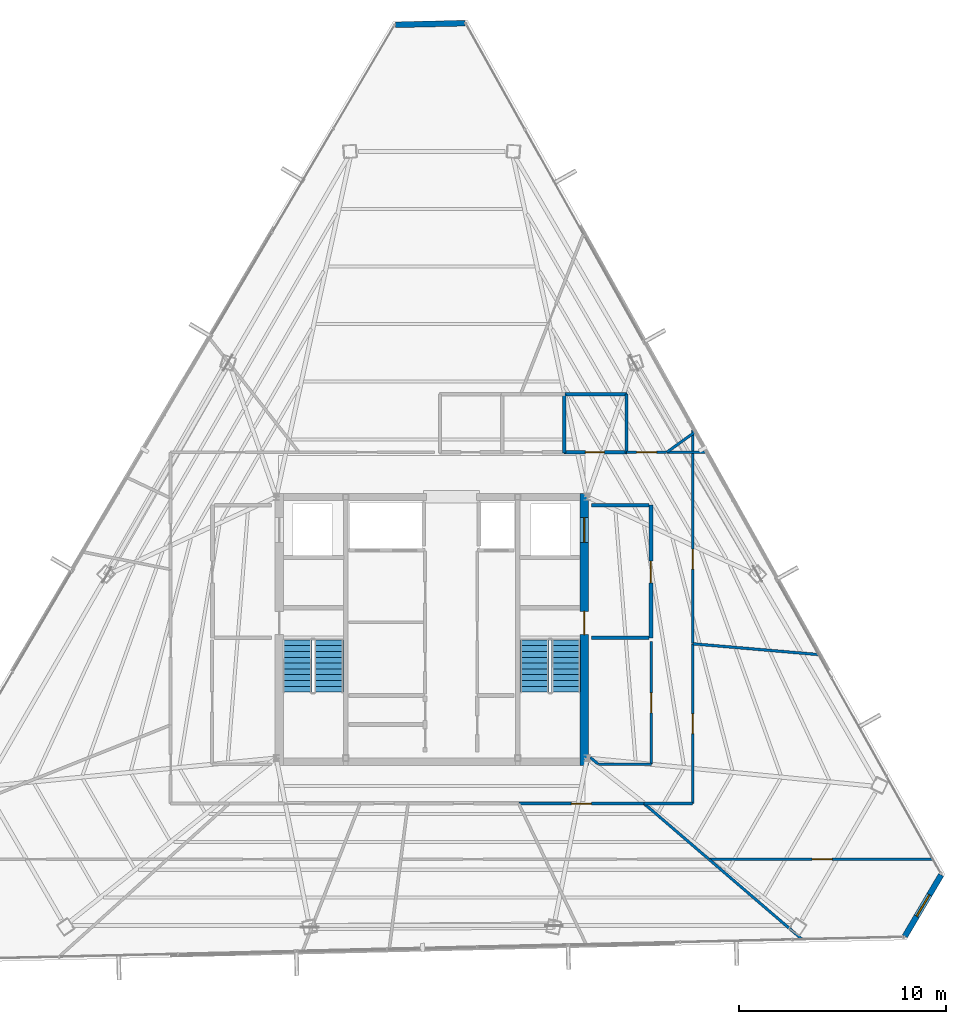
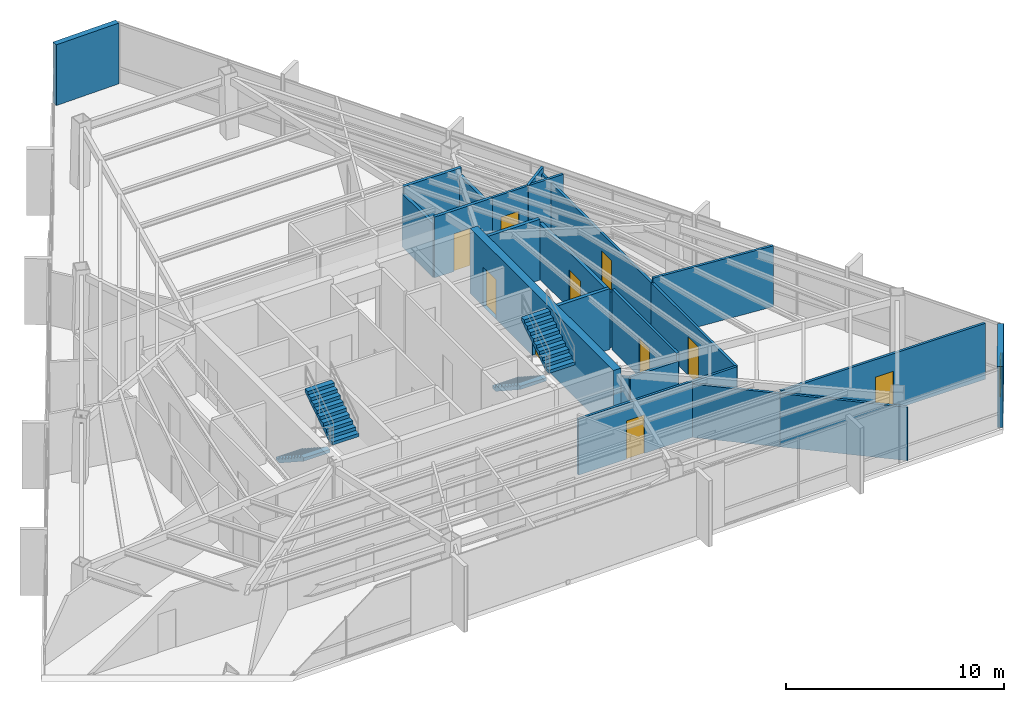
# One storey, part 43 of 46: 24 walls, 10 doors, 4 stair flights, 1 window, 11 openings, 2 elements without a shape of their own.
"""IFC4 building model written with IfcOpenShell, lengths in metres."""

from ifc_helpers import new_model, si_unit, direction, frame, frame_2d, origin, place, context, subcontext, project, spatial, polyline, rectangle, outline, extrude, material, layer, layer_set, type_object, element, fill, aggregate, save


model = new_model("IFC4")

# Units and contexts
model_context = context("Model", 3, precision=1e-05, world=origin(), true_north=direction((0.0, 1.0)))
body_context = subcontext(model_context, "Body", "Model", "MODEL_VIEW")
ifc_project = project(units=[si_unit("LENGTHUNIT", "METRE"), si_unit("AREAUNIT", "SQUARE_METRE"), si_unit("VOLUMEUNIT", "CUBIC_METRE"), si_unit("PLANEANGLEUNIT", "RADIAN"), si_unit("MASSUNIT", "GRAM", prefix="KILO")], contexts=[model_context])

# Site, building, storey
site_placement = place(None, origin())
site = spatial("IfcSite", under=ifc_project, at=site_placement, CompositionType="ELEMENT")
building_placement = place(site_placement, origin())
building = spatial("IfcBuilding", under=site, at=building_placement, Name="Caelisora Broadcast Tower", CompositionType="ELEMENT")
storey_placement = place(building_placement, frame((0.0, 0.0, 251.75)))
storey = spatial("IfcBuildingStorey", under=building, at=storey_placement, Name="L66", CompositionType="ELEMENT", Elevation=251.75)

# Wall, openings, doors
ifc_material_1 = material(Name="Concrete 40 MPa (AS 3600 N40)", Category="concrete")
ifc_layer_1 = layer(ifc_material_1, 0.39990234375, Name="Concrete 40 MPa (AS 3600 N40)")
ifc_layer_set_1 = layer_set([ifc_layer_1], Name="Concrete 40 MPa (AS 3600 N40)")
wall_type_1 = type_object("IfcWallType", Name="CW3", PredefinedType="SHEAR", material=ifc_layer_set_1)
wall_1_placement = place(storey_placement, frame((45.360107421875, 17.050048828125, 0.0), z_axis=(0.0, 0.0, 1.0), x_axis=(0.0, 1.0, 0.0)))
wall_1 = element("IfcWall", 1, at=wall_1_placement, inside=storey, type_object=wall_type_1, Name="L66 core shear wall CW3", PredefinedType="SHEAR", context=body_context, shape_type="SweptSolid", body=[
    extrude(rectangle(XDim=13.125, YDim=0.39990234375, at=frame_2d((6.5625, 0.0))), origin(), (0.0, 0.0, 1.0), 3.64990234375),
])
opening_1_placement = place(wall_1_placement, frame((6.300048828125, 0.0, 0.0)))
opening_1 = element("IfcOpeningElement", 2, at=opening_1_placement, cuts=wall_1, Name="Opening FD04", PredefinedType="OPENING", context=body_context, shape_type="SweptSolid", body=[
    extrude(rectangle(XDim=1.1201171875, YDim=2.14990234375, at=frame_2d((0.56005859375, 1.074951171875))), frame((0.0, 0.2119140625, 0.0), z_axis=(0.0, -1.0, 0.0), x_axis=(1.0, 0.0, 0.0)), (0.0, 0.0, 1.0), 0.423828125),
])
opening_2_placement = place(wall_1_placement, frame((10.75, 0.0, 0.0)))
opening_2 = element("IfcOpeningElement", 3, at=opening_2_placement, cuts=wall_1, Name="Opening LD04", PredefinedType="OPENING", context=body_context, shape_type="SweptSolid", body=[
    extrude(rectangle(XDim=1.199951171875, YDim=2.199951171875, at=frame_2d((0.60009765625, 1.10009765625))), frame((0.0, 0.2119140625, 0.0), z_axis=(0.0, -1.0, 0.0), x_axis=(1.0, 0.0, 0.0)), (0.0, 0.0, 1.0), 0.423828125),
])
ifc_material_2 = material(Name="Pressurised Fire-Isolated Stair Door", Category="steel")
door_type_1 = type_object("IfcDoorType", Name="FD04", OperationType="NOTDEFINED", PredefinedType="DOOR", material=ifc_material_2)
door_1_placement = place(opening_1_placement, origin())
door_1 = element("IfcDoor", 4, at=door_1_placement, inside=storey, type_object=door_type_1, Name="L66 door FD04 (L66-DR-ST2)", OperationType="SINGLE_SWING_RIGHT", OverallHeight=2.14990234375, OverallWidth=1.1201171875, PredefinedType="DOOR", context=body_context, shape_type="SweptSolid", body=[
    extrude(rectangle(XDim=1.1201171875, YDim=2.14990234375, at=frame_2d((0.56005859375, 1.074951171875))), frame((0.0, 0.02490234375, 0.0), z_axis=(0.0, -1.0, 0.0), x_axis=(1.0, 0.0, 0.0)), (0.0, 0.0, 1.0), 0.050048828125),
])
fill(opening_1, door_1)
ifc_material_3 = material(Name="Emergency Firefighting Lift Sliding Landing Door", Category="steel")
door_type_2 = type_object("IfcDoorType", Name="LD04", OperationType="NOTDEFINED", PredefinedType="DOOR", material=ifc_material_3)
door_2_placement = place(opening_2_placement, origin())
door_2 = element("IfcDoor", 5, at=door_2_placement, inside=storey, type_object=door_type_2, Name="L66 door LD04 (L66-LD-FFL2)", OperationType="SLIDING_TO_RIGHT", OverallHeight=2.199951171875, OverallWidth=1.199951171875, PredefinedType="DOOR", context=body_context, shape_type="SweptSolid", body=[
    extrude(rectangle(XDim=1.199951171875, YDim=2.199951171875, at=frame_2d((0.60009765625, 1.10009765625))), frame((0.0, 0.02490234375, 0.0), z_axis=(0.0, -1.0, 0.0), x_axis=(1.0, 0.0, 0.0)), (0.0, 0.0, 1.0), 0.050048828125),
])
fill(opening_2, door_2)

# Wall, opening, window
ifc_material_4 = material(Name="Insulated Terracotta Spandrel Wall System", Category="masonry")
ifc_layer_2 = layer(ifc_material_4, 0.280029296875, Name="Insulated Terracotta Spandrel Wall System")
ifc_layer_set_2 = layer_set([ifc_layer_2], Name="Insulated Terracotta Spandrel Wall System")
wall_type_2 = type_object("IfcWallType", Name="EW1", PredefinedType="STANDARD", material=ifc_layer_set_2)
wall_2_placement = place(storey_placement, frame((62.582763671875, 11.76025390625, 0.0), z_axis=(0.0, 0.0, 1.0), x_axis=(-0.508617107287, -0.86099282121, 0.0)))
wall_2 = element("IfcWall", 6, at=wall_2_placement, inside=storey, type_object=wall_type_2, Name="L66 exterior envelope wall EW1", PredefinedType="STANDARD", context=body_context, shape_type="SweptSolid", body=[
    extrude(rectangle(XDim=3.445556640625, YDim=0.280029296875, at=frame_2d((1.72265625, 0.0))), origin(), (0.0, 0.0, 1.0), 3.39990234375),
])
opening_3_placement = place(wall_2_placement, frame((1.1201171875, 0.0, 0.89990234375)))
opening_3 = element("IfcOpeningElement", 7, at=opening_3_placement, cuts=wall_2, Name="Opening W03", PredefinedType="OPENING", context=body_context, shape_type="SweptSolid", body=[
    extrude(rectangle(XDim=1.199951171875, YDim=1.64990234375, at=frame_2d((0.60009765625, 0.824951171875))), frame((0.0, 0.152099609375, 0.0), z_axis=(0.0, -1.0, 0.0), x_axis=(1.0, 0.0, 0.0)), (0.0, 0.0, 1.0), 0.303955078125),
])
ifc_material_5 = material(Name="Double Glazed Corner Vision Window", Category="glass")
window_type = type_object("IfcWindowType", Name="W03", PartitioningType="SINGLE_PANEL", PredefinedType="WINDOW", material=ifc_material_5)
window_placement = place(opening_3_placement, origin())
window = element("IfcWindow", 8, at=window_placement, inside=storey, type_object=window_type, Name="L66 window W03 (L66-WN-CH0)", OverallHeight=1.64990234375, OverallWidth=1.199951171875, PartitioningType="SINGLE_PANEL", PredefinedType="WINDOW", context=body_context, shape_type="SweptSolid", body=[
    extrude(rectangle(XDim=1.199951171875, YDim=1.64990234375, at=frame_2d((0.60009765625, 0.824951171875))), frame((0.0, 0.030029296875, 0.0), z_axis=(0.0, -1.0, 0.0), x_axis=(1.0, 0.0, 0.0)), (0.0, 0.0, 1.0), 0.06005859375),
])
fill(opening_3, window)

# Wall
wall_3_placement = place(storey_placement, frame((36.2490234375, 52.77978515625, 0.0), z_axis=(0.0, 0.0, 1.0), x_axis=(0.999725747636, 0.023418572002, 0.0)))
element("IfcWall", 9, at=wall_3_placement, inside=storey, type_object=wall_type_2, Name="L66 exterior envelope wall EW1", PredefinedType="STANDARD", context=body_context, shape_type="SweptSolid", body=[
    extrude(rectangle(XDim=3.35693359375, YDim=0.280029296875, at=frame_2d((1.678466796875, 0.0))), origin(), (0.0, 0.0, 1.0), 3.39990234375),
])

# Wall, opening, door
ifc_material_6 = material(Name="Fire-Rated Gypsum Shaft and Compartment Wall", Category="gypsum")
ifc_layer_3 = layer(ifc_material_6, 0.179931640625, Name="Fire-Rated Gypsum Shaft and Compartment Wall")
ifc_layer_set_3 = layer_set([ifc_layer_3], Name="Fire-Rated Gypsum Shaft and Compartment Wall")
wall_type_3 = type_object("IfcWallType", Name="PW2", PredefinedType="PARTITIONING", material=ifc_layer_set_3)
wall_4_placement = place(storey_placement, frame((48.580078125, 23.199951171875, 0.0), z_axis=(0.0, 0.0, 1.0), x_axis=(0.0, 1.0, 0.0)))
wall_4 = element("IfcWall", 10, at=wall_4_placement, inside=storey, type_object=wall_type_3, Name="L66 fire compartment wall PW2", PredefinedType="PARTITIONING", context=body_context, shape_type="SweptSolid", body=[
    extrude(rectangle(XDim=6.400146484375, YDim=0.179931640625, at=frame_2d((3.2001953125, 0.0))), origin(), (0.0, 0.0, 1.0), 3.12890625),
])
opening_4_placement = place(wall_4_placement, frame((2.64990234375, 0.0, 0.0)))
opening_4 = element("IfcOpeningElement", 11, at=opening_4_placement, cuts=wall_4, Name="Opening FD02", PredefinedType="OPENING", context=body_context, shape_type="SweptSolid", body=[
    extrude(rectangle(XDim=1.050048828125, YDim=2.14990234375, at=frame_2d((0.52490234375, 1.074951171875))), frame((0.0, 0.10205078125, 0.0), z_axis=(0.0, -1.0, 0.0), x_axis=(1.0, 0.0, 0.0)), (0.0, 0.0, 1.0), 0.203857421875),
])
ifc_material_7 = material(Name="Single-Leaf Steel Fire Lobby Door", Category="steel")
door_type_3 = type_object("IfcDoorType", Name="FD02", OperationType="NOTDEFINED", PredefinedType="DOOR", material=ifc_material_7)
door_3_placement = place(opening_4_placement, origin())
door_3 = element("IfcDoor", 12, at=door_3_placement, inside=storey, type_object=door_type_3, Name="L66 door FD02 (L66-DR-P04D1)", OperationType="SINGLE_SWING_RIGHT", OverallHeight=2.14990234375, OverallWidth=1.050048828125, PredefinedType="DOOR", context=body_context, shape_type="SweptSolid", body=[
    extrude(rectangle(XDim=1.050048828125, YDim=2.14990234375, at=frame_2d((0.52490234375, 1.074951171875))), frame((0.0, 0.02490234375, 0.0), z_axis=(0.0, -1.0, 0.0), x_axis=(1.0, 0.0, 0.0)), (0.0, 0.0, 1.0), 0.050048828125),
])
fill(opening_4, door_3)

# Walls
for number, where, z_axis, x_axis, name in (
    (13, (45.719970703125, 23.199951171875, 0.0), (0.0, 0.0, 1.0), (1.0, 0.0, 0.0), "L66 fire compartment wall PW2"),
    (14, (45.719970703125, 29.60009765625, 0.0), (0.0, 0.0, 1.0), (1.0, 0.0, 0.0), "L66 fire compartment wall PW2"),
):
    element("IfcWall", number, at=place(storey_placement, frame(where, z_axis=z_axis, x_axis=x_axis)), inside=storey, type_object=wall_type_3, Name=name, PredefinedType="PARTITIONING", context=body_context, shape_type="SweptSolid", body=[
        extrude(rectangle(XDim=2.760009765625, YDim=0.179931640625, at=frame_2d((1.3798828125, 0.0))), origin(), (0.0, 0.0, 1.0), 3.39990234375),
    ])

# Wall, opening, door
ifc_material_8 = material(Name="Acoustic Steel-Stud Plasterboard Partition", Category="gypsum")
ifc_layer_4 = layer(ifc_material_8, 0.1298828125, Name="Acoustic Steel-Stud Plasterboard Partition")
ifc_layer_set_4 = layer_set([ifc_layer_4], Name="Acoustic Steel-Stud Plasterboard Partition")
wall_type_4 = type_object("IfcWallType", Name="PW3", PredefinedType="PARTITIONING", material=ifc_layer_set_4)
wall_5_placement = place(storey_placement, frame((51.375, 12.52001953125, 0.0), z_axis=(0.0, 0.0, 1.0), x_axis=(1.0, 0.0, 0.0)))
wall_5 = element("IfcWall", 15, at=wall_5_placement, inside=storey, type_object=wall_type_4, Name="L66 internal partition PW3", PredefinedType="PARTITIONING", context=body_context, shape_type="SweptSolid", body=[
    extrude(rectangle(XDim=10.818359375, YDim=0.1298828125, at=frame_2d((5.4091796875, 0.0))), origin(), (0.0, 0.0, 1.0), 3.12890625),
])
opening_5_placement = place(wall_5_placement, frame((4.98193359375, 0.0, 0.0)))
opening_5 = element("IfcOpeningElement", 16, at=opening_5_placement, cuts=wall_5, Name="Opening D01", PredefinedType="OPENING", context=body_context, shape_type="SweptSolid", body=[
    extrude(rectangle(XDim=0.9599609375, YDim=2.14990234375, at=frame_2d((0.47998046875, 1.074951171875))), frame((0.0, 0.076904296875, 0.0), z_axis=(0.0, -1.0, 0.0), x_axis=(1.0, 0.0, 0.0)), (0.0, 0.0, 1.0), 0.15380859375),
])
ifc_material_9 = material(Name="Solid-Core Timber Acoustic Office Door", Category="wood")
door_type_4 = type_object("IfcDoorType", Name="D01", OperationType="NOTDEFINED", PredefinedType="DOOR", material=ifc_material_9)
door_4_placement = place(opening_5_placement, origin())
door_4 = element("IfcDoor", 17, at=door_4_placement, inside=storey, type_object=door_type_4, Name="L66 door D01 (L66-DR-P31D1)", OperationType="SINGLE_SWING_LEFT", OverallHeight=2.14990234375, OverallWidth=0.9599609375, PredefinedType="DOOR", context=body_context, shape_type="SweptSolid", body=[
    extrude(rectangle(XDim=0.9599609375, YDim=2.14990234375, at=frame_2d((0.47998046875, 1.074951171875))), frame((0.0, 0.02490234375, 0.0), z_axis=(0.0, -1.0, 0.0), x_axis=(1.0, 0.0, 0.0)), (0.0, 0.0, 1.0), 0.050048828125),
])
fill(opening_5, door_4)

wall_6_placement = place(storey_placement, frame((50.60009765625, 22.9150390625, 0.0), z_axis=(0.0, 0.0, 1.0), x_axis=(0.0, 1.0, 0.0)))
wall_6 = element("IfcWall", 18, at=wall_6_placement, inside=storey, type_object=wall_type_4, Name="L66 internal partition PW3", PredefinedType="PARTITIONING", context=body_context, shape_type="SweptSolid", body=[
    extrude(rectangle(XDim=10.3115234375, YDim=0.1298828125, at=frame_2d((5.15576171875, 0.0))), origin(), (0.0, 0.0, 1.0), 3.12890625),
])
opening_6_placement = place(wall_6_placement, frame((3.60009765625, 0.0, 0.0)))
opening_6 = element("IfcOpeningElement", 19, at=opening_6_placement, cuts=wall_6, Name="Opening D01", PredefinedType="OPENING", context=body_context, shape_type="SweptSolid", body=[
    extrude(rectangle(XDim=0.9599609375, YDim=2.14990234375, at=frame_2d((0.47998046875, 1.074951171875))), frame((0.0, 0.076904296875, 0.0), z_axis=(0.0, -1.0, 0.0), x_axis=(1.0, 0.0, 0.0)), (0.0, 0.0, 1.0), 0.15380859375),
])
door_5_placement = place(opening_6_placement, origin())
door_5 = element("IfcDoor", 20, at=door_5_placement, inside=storey, type_object=door_type_4, Name="L66 door D01 (L66-DR-P33D1)", OperationType="SINGLE_SWING_RIGHT", OverallHeight=2.14990234375, OverallWidth=0.9599609375, PredefinedType="DOOR", context=body_context, shape_type="SweptSolid", body=[
    extrude(rectangle(XDim=0.9599609375, YDim=2.14990234375, at=frame_2d((0.47998046875, 1.074951171875))), frame((0.0, 0.02490234375, 0.0), z_axis=(0.0, -1.0, 0.0), x_axis=(1.0, 0.0, 0.0)), (0.0, 0.0, 1.0), 0.050048828125),
])
fill(opening_6, door_5)

wall_7_placement = place(storey_placement, frame((50.60009765625, 15.205078125, 0.0), z_axis=(0.0, 0.0, 1.0), x_axis=(0.0, 1.0, 0.0)))
wall_7 = element("IfcWall", 21, at=wall_7_placement, inside=storey, type_object=wall_type_4, Name="L66 internal partition PW3", PredefinedType="PARTITIONING", context=body_context, shape_type="SweptSolid", body=[
    extrude(rectangle(XDim=7.699951171875, YDim=0.1298828125, at=frame_2d((3.85009765625, 0.0))), origin(), (0.0, 0.0, 1.0), 3.12890625),
])
opening_7_placement = place(wall_7_placement, frame((3.3701171875, 0.0, 0.0)))
opening_7 = element("IfcOpeningElement", 22, at=opening_7_placement, cuts=wall_7, Name="Opening D01", PredefinedType="OPENING", context=body_context, shape_type="SweptSolid", body=[
    extrude(rectangle(XDim=0.9599609375, YDim=2.14990234375, at=frame_2d((0.47998046875, 1.074951171875))), frame((0.0, 0.076904296875, 0.0), z_axis=(0.0, -1.0, 0.0), x_axis=(1.0, 0.0, 0.0)), (0.0, 0.0, 1.0), 0.15380859375),
])
door_6_placement = place(opening_7_placement, origin())
door_6 = element("IfcDoor", 23, at=door_6_placement, inside=storey, type_object=door_type_4, Name="L66 door D01 (L66-DR-P38D1)", OperationType="SINGLE_SWING_LEFT", OverallHeight=2.14990234375, OverallWidth=0.9599609375, PredefinedType="DOOR", context=body_context, shape_type="SweptSolid", body=[
    extrude(rectangle(XDim=0.9599609375, YDim=2.14990234375, at=frame_2d((0.47998046875, 1.074951171875))), frame((0.0, 0.02490234375, 0.0), z_axis=(0.0, -1.0, 0.0), x_axis=(1.0, 0.0, 0.0)), (0.0, 0.0, 1.0), 0.050048828125),
])
fill(opening_7, door_6)

# Walls
wall_8_placement = place(storey_placement, frame((50.60498046875, 22.909912109375, 0.0), z_axis=(0.0, 0.0, 1.0), x_axis=(0.996350739531, -0.085353405534, 0.0)))
element("IfcWall", 24, at=wall_8_placement, inside=storey, type_object=wall_type_4, Name="L66 internal partition PW3", PredefinedType="PARTITIONING", context=body_context, shape_type="SweptSolid", body=[
    extrude(rectangle(XDim=6.092529296875, YDim=0.1298828125, at=frame_2d((3.04638671875, 0.0))), origin(), (0.0, 0.0, 1.0), 3.39990234375),
])
wall_9_placement = place(storey_placement, frame((51.3740234375, 12.51708984375, 0.0), z_axis=(0.0, 0.0, 1.0), x_axis=(0.758399794399, -0.651789653075, 0.0)))
element("IfcWall", 25, at=wall_9_placement, inside=storey, type_object=wall_type_4, Name="L66 internal partition PW3", PredefinedType="PARTITIONING", context=body_context, shape_type="SweptSolid", body=[
    extrude(rectangle(XDim=5.93798828125, YDim=0.1298828125, at=frame_2d((2.968994140625, 0.0))), origin(), (0.0, 0.0, 1.0), 2.985107421875),
])

# Wall, opening, door
wall_10_placement = place(storey_placement, frame((42.205078125, 15.199951171875, 0.0), z_axis=(0.0, 0.0, 1.0), x_axis=(1.0, 0.0, 0.0)))
wall_10 = element("IfcWall", 26, at=wall_10_placement, inside=storey, type_object=wall_type_4, Name="L66 internal partition PW3", PredefinedType="PARTITIONING", context=body_context, shape_type="SweptSolid", body=[
    extrude(rectangle(XDim=6.0400390625, YDim=0.1298828125, at=frame_2d((3.02001953125, 0.0))), origin(), (0.0, 0.0, 1.0), 3.12890625),
])
opening_8_placement = place(wall_10_placement, frame((2.5400390625, 0.0, 0.0)))
opening_8 = element("IfcOpeningElement", 27, at=opening_8_placement, cuts=wall_10, Name="Opening D01", PredefinedType="OPENING", context=body_context, shape_type="SweptSolid", body=[
    extrude(rectangle(XDim=0.9599609375, YDim=2.14990234375, at=frame_2d((0.47998046875, 1.074951171875))), frame((0.0, 0.076904296875, 0.0), z_axis=(0.0, -1.0, 0.0), x_axis=(1.0, 0.0, 0.0)), (0.0, 0.0, 1.0), 0.15380859375),
])
door_7_placement = place(opening_8_placement, origin())
door_7 = element("IfcDoor", 28, at=door_7_placement, inside=storey, type_object=door_type_4, Name="L66 door D01 (L66-DR-P49D1)", OperationType="SINGLE_SWING_RIGHT", OverallHeight=2.14990234375, OverallWidth=0.9599609375, PredefinedType="DOOR", context=body_context, shape_type="SweptSolid", body=[
    extrude(rectangle(XDim=0.9599609375, YDim=2.14990234375, at=frame_2d((0.47998046875, 1.074951171875))), frame((0.0, 0.02490234375, 0.0), z_axis=(0.0, -1.0, 0.0), x_axis=(1.0, 0.0, 0.0)), (0.0, 0.0, 1.0), 0.050048828125),
])
fill(opening_8, door_7)

wall_11_placement = place(storey_placement, frame((48.60009765625, 17.10498046875, 0.0), z_axis=(0.0, 0.0, 1.0), x_axis=(0.0, 1.0, 0.0)))
wall_11 = element("IfcWall", 29, at=wall_11_placement, inside=storey, type_object=wall_type_4, Name="L66 internal partition PW3", PredefinedType="PARTITIONING", context=body_context, shape_type="SweptSolid", body=[
    extrude(rectangle(XDim=5.909912109375, YDim=0.1298828125, at=frame_2d((2.955078125, 0.0))), origin(), (0.0, 0.0, 1.0), 3.39990234375),
])
opening_9_placement = place(wall_11_placement, frame((2.47509765625, 0.0, 0.0)))
opening_9 = element("IfcOpeningElement", 30, at=opening_9_placement, cuts=wall_11, Name="Opening D01", PredefinedType="OPENING", context=body_context, shape_type="SweptSolid", body=[
    extrude(rectangle(XDim=0.9599609375, YDim=2.14990234375, at=frame_2d((0.47998046875, 1.074951171875))), frame((0.0, 0.076904296875, 0.0), z_axis=(0.0, -1.0, 0.0), x_axis=(1.0, 0.0, 0.0)), (0.0, 0.0, 1.0), 0.15380859375),
])
door_8_placement = place(opening_9_placement, origin())
door_8 = element("IfcDoor", 31, at=door_8_placement, inside=storey, type_object=door_type_4, Name="L66 door D01 (L66-DR-P50D1)", OperationType="SINGLE_SWING_LEFT", OverallHeight=2.14990234375, OverallWidth=0.9599609375, PredefinedType="DOOR", context=body_context, shape_type="SweptSolid", body=[
    extrude(rectangle(XDim=0.9599609375, YDim=2.14990234375, at=frame_2d((0.47998046875, 1.074951171875))), frame((0.0, 0.02490234375, 0.0), z_axis=(0.0, -1.0, 0.0), x_axis=(1.0, 0.0, 0.0)), (0.0, 0.0, 1.0), 0.050048828125),
])
fill(opening_9, door_8)

# Walls
wall_12_placement = place(storey_placement, frame((48.25390625, 15.197021484375, 0.0), z_axis=(0.0, 0.0, 1.0), x_axis=(0.758462221085, -0.651717008515, 0.0)))
element("IfcWall", 32, at=wall_12_placement, inside=storey, type_object=wall_type_4, Name="L66 internal partition PW3", PredefinedType="PARTITIONING", context=body_context, shape_type="SweptSolid", body=[
    extrude(rectangle(XDim=4.10302734375, YDim=0.1298828125, at=frame_2d((2.051513671875, 0.0))), origin(), (0.0, 0.0, 1.0), 2.985107421875),
])
wall_13_placement = place(storey_placement, frame((46.044921875, 17.10009765625, 0.0), z_axis=(0.0, 0.0, 1.0), x_axis=(1.0, 0.0, 0.0)))
element("IfcWall", 33, at=wall_13_placement, inside=storey, type_object=wall_type_4, Name="L66 internal partition PW3", PredefinedType="PARTITIONING", context=body_context, shape_type="SweptSolid", body=[
    extrude(rectangle(XDim=2.550048828125, YDim=0.1298828125, at=frame_2d((1.27490234375, 0.0))), origin(), (0.0, 0.0, 1.0), 2.985107421875),
])
wall_14_placement = place(storey_placement, frame((48.2548828125, 15.199951171875, 0.0), z_axis=(0.0, 0.0, 1.0), x_axis=(1.0, 0.0, 0.0)))
element("IfcWall", 34, at=wall_14_placement, inside=storey, type_object=wall_type_4, Name="L66 internal partition PW3", PredefinedType="PARTITIONING", context=body_context, shape_type="SweptSolid", body=[
    extrude(rectangle(XDim=2.340087890625, YDim=0.1298828125, at=frame_2d((1.169921875, 0.0))), origin(), (0.0, 0.0, 1.0), 3.12890625),
])

# Wall, opening, door
wall_15_placement = place(storey_placement, frame((47.405029296875, 32.14990234375, 0.0), z_axis=(0.0, 0.0, 1.0), x_axis=(1.0, 0.0, 0.0)))
wall_15 = element("IfcWall", 35, at=wall_15_placement, inside=storey, type_object=wall_type_4, Name="L66 internal partition PW3", PredefinedType="PARTITIONING", context=body_context, shape_type="SweptSolid", body=[
    extrude(rectangle(XDim=1.929931640625, YDim=0.1298828125, at=frame_2d((0.96484375, 0.0))), origin(), (0.0, 0.0, 1.0), 3.39990234375),
])
opening_10_placement = place(wall_15_placement, frame((0.485107421875, 0.0, 0.0)))
opening_10 = element("IfcOpeningElement", 36, at=opening_10_placement, cuts=wall_15, Name="Opening D01", PredefinedType="OPENING", context=body_context, shape_type="SweptSolid", body=[
    extrude(rectangle(XDim=0.9599609375, YDim=2.14990234375, at=frame_2d((0.47998046875, 1.074951171875))), frame((0.0, 0.076904296875, 0.0), z_axis=(0.0, -1.0, 0.0), x_axis=(1.0, 0.0, 0.0)), (0.0, 0.0, 1.0), 0.15380859375),
])
door_9_placement = place(opening_10_placement, origin())
door_9 = element("IfcDoor", 37, at=door_9_placement, inside=storey, type_object=door_type_4, Name="L66 door D01 (L66-DR-P70D1)", OperationType="SINGLE_SWING_RIGHT", OverallHeight=2.14990234375, OverallWidth=0.9599609375, PredefinedType="DOOR", context=body_context, shape_type="SweptSolid", body=[
    extrude(rectangle(XDim=0.9599609375, YDim=2.14990234375, at=frame_2d((0.47998046875, 1.074951171875))), frame((0.0, 0.02490234375, 0.0), z_axis=(0.0, -1.0, 0.0), x_axis=(1.0, 0.0, 0.0)), (0.0, 0.0, 1.0), 0.050048828125),
])
fill(opening_10, door_9)

# Walls
wall_16_placement = place(storey_placement, frame((49.343994140625, 32.153076171875, 0.0), z_axis=(0.0, 0.0, 1.0), x_axis=(0.812257035701, 0.583299672514, 0.0)))
element("IfcWall", 38, at=wall_16_placement, inside=storey, type_object=wall_type_4, Name="L66 internal partition PW3", PredefinedType="PARTITIONING", context=body_context, shape_type="SweptSolid", body=[
    extrude(rectangle(XDim=1.645263671875, YDim=0.1298828125, at=frame_2d((0.82275390625, 0.0))), origin(), (0.0, 0.0, 1.0), 3.39990234375),
])
wall_17_placement = place(storey_placement, frame((51.193115234375, 32.14990234375, 0.0), z_axis=(0.0, 0.0, 1.0), x_axis=(-1.0, 0.0, 0.0)))
element("IfcWall", 39, at=wall_17_placement, inside=storey, type_object=wall_type_4, Name="L66 internal partition PW3", PredefinedType="PARTITIONING", context=body_context, shape_type="SweptSolid", body=[
    extrude(rectangle(XDim=1.84814453125, YDim=0.1298828125, at=frame_2d((0.924072265625, 0.0))), origin(), (0.0, 0.0, 1.0), 3.39990234375),
])
wall_18_placement = place(storey_placement, frame((46.035888671875, 17.10302734375, 0.0), z_axis=(0.0, 0.0, 1.0), x_axis=(-0.764898417495, 0.644150922465, 0.0)))
element("IfcWall", 40, at=wall_18_placement, inside=storey, type_object=wall_type_4, Name="L66 internal partition PW3", PredefinedType="PARTITIONING", context=body_context, shape_type="SweptSolid", body=[
    extrude(rectangle(XDim=0.495361328125, YDim=0.1298828125, at=frame_2d((0.24755859375, 0.0))), origin(), (0.0, 0.0, 1.0), 2.985107421875),
])

# Wall, opening, door
ifc_material_10 = material(Name="Moisture-Resistant Wet Plumbing Service Wall", Category="gypsum")
ifc_layer_5 = layer(ifc_material_10, 0.159912109375, Name="Moisture-Resistant Wet Plumbing Service Wall")
ifc_layer_set_5 = layer_set([ifc_layer_5], Name="Moisture-Resistant Wet Plumbing Service Wall")
wall_type_5 = type_object("IfcWallType", Name="PW4", PredefinedType="PLUMBINGWALL", material=ifc_layer_set_5)
wall_19_placement = place(storey_placement, frame((44.375, 32.14990234375, 0.0), z_axis=(0.0, 0.0, 1.0), x_axis=(1.0, 0.0, 0.0)))
wall_19 = element("IfcWall", 41, at=wall_19_placement, inside=storey, type_object=wall_type_5, Name="L66 wet plumbing wall PW4", PredefinedType="PLUMBINGWALL", context=body_context, shape_type="SweptSolid", body=[
    extrude(rectangle(XDim=3.050048828125, YDim=0.159912109375, at=frame_2d((1.52490234375, 0.0))), origin(), (0.0, 0.0, 1.0), 3.39990234375),
])
opening_11_placement = place(wall_19_placement, frame((1.034912109375, 0.0, 0.0)))
opening_11 = element("IfcOpeningElement", 42, at=opening_11_placement, cuts=wall_19, Name="Opening D03", PredefinedType="OPENING", context=body_context, shape_type="SweptSolid", body=[
    extrude(rectangle(XDim=0.919921875, YDim=2.10009765625, at=frame_2d((0.4599609375, 1.050048828125))), frame((0.0, 0.092041015625, 0.0), z_axis=(0.0, -1.0, 0.0), x_axis=(1.0, 0.0, 0.0)), (0.0, 0.0, 1.0), 0.183837890625),
])
ifc_material_11 = material(Name="Laminate Moisture-Resistant Amenity WC Door", Category="wood")
door_type_5 = type_object("IfcDoorType", Name="D03", OperationType="NOTDEFINED", PredefinedType="DOOR", material=ifc_material_11)
door_10_placement = place(opening_11_placement, origin())
door_10 = element("IfcDoor", 43, at=door_10_placement, inside=storey, type_object=door_type_5, Name="L66 door D03 (L66-DR-P19D1)", OperationType="SINGLE_SWING_LEFT", OverallHeight=2.10009765625, OverallWidth=0.919921875, PredefinedType="DOOR", context=body_context, shape_type="SweptSolid", body=[
    extrude(rectangle(XDim=0.919921875, YDim=2.10009765625, at=frame_2d((0.4599609375, 1.050048828125))), frame((0.0, 0.02490234375, 0.0), z_axis=(0.0, -1.0, 0.0), x_axis=(1.0, 0.0, 0.0)), (0.0, 0.0, 1.0), 0.050048828125),
])
fill(opening_11, door_10)

# Walls
wall_20_placement = place(storey_placement, frame((47.425048828125, 34.949951171875, 0.0), z_axis=(0.0, 0.0, 1.0), x_axis=(-1.0, 0.0, 0.0)))
element("IfcWall", 44, at=wall_20_placement, inside=storey, type_object=wall_type_5, Name="L66 wet plumbing wall PW4", PredefinedType="PLUMBINGWALL", context=body_context, shape_type="SweptSolid", body=[
    extrude(rectangle(XDim=3.050048828125, YDim=0.159912109375, at=frame_2d((1.52490234375, 0.0))), origin(), (0.0, 0.0, 1.0), 3.39990234375),
])
for number, where, z_axis, x_axis, name in (
    (45, (44.39990234375, 32.125, 0.0), (0.0, 0.0, 1.0), (0.0, 1.0, 0.0), "L66 wet plumbing wall PW4"),
    (46, (47.39990234375, 32.125, 0.0), (0.0, 0.0, 1.0), (0.0, 1.0, 0.0), "L66 wet plumbing wall PW4"),
):
    element("IfcWall", number, at=place(storey_placement, frame(where, z_axis=z_axis, x_axis=x_axis)), inside=storey, type_object=wall_type_5, Name=name, PredefinedType="PLUMBINGWALL", context=body_context, shape_type="SweptSolid", body=[
        extrude(rectangle(XDim=2.85009765625, YDim=0.159912109375, at=frame_2d((1.425048828125, 0.0))), origin(), (0.0, 0.0, 1.0), 2.985107421875),
    ])

# Stair, stair flights
stair_type_1 = type_object("IfcStairType", Name="ST-1", PredefinedType="HALF_TURN_STAIR", material=ifc_material_1)
stair_1_placement = place(storey_placement, origin())
stair_1 = element("IfcStair", 47, at=stair_1_placement, inside=storey, type_object=stair_type_1, Name="L66 West Fire-Isolated Tower Stair", PredefinedType="HALF_TURN_STAIR")
stair_flight_type = type_object("IfcStairFlightType", Name="STF-4", PredefinedType="STRAIGHT", material=ifc_material_1)
stair_flight_1_placement = place(storey_placement, frame((31.52001953125, 23.10009765625, 0.0), z_axis=(0.0, 0.0, 1.0), x_axis=(0.0, -1.0, 0.0)))
stair_flight_1 = element("IfcStairFlight", 48, at=stair_flight_1_placement, type_object=stair_flight_type, Name="ST-1 flight 1", NumberOfRisers=10, NumberOfTreads=9, PredefinedType="STRAIGHT", RiserHeight=0.1825, TreadLength=0.28, context=body_context, shape_type="SweptSolid", body=[
    extrude(outline(polyline([(0.0, 0.0), (0.0, 0.1826171875), (0.280029296875, 0.1826171875), (0.280029296875, 0.364990234375), (0.56005859375, 0.364990234375), (0.56005859375, 0.547607421875), (0.840087890625, 0.547607421875), (0.840087890625, 0.72998046875), (1.1201171875, 0.72998046875), (1.1201171875, 0.91259765625), (1.39990234375, 0.91259765625), (1.39990234375, 1.094970703125), (1.679931640625, 1.094970703125), (1.679931640625, 1.277587890625), (1.9599609375, 1.277587890625), (1.9599609375, 1.4599609375), (2.239990234375, 1.4599609375), (2.239990234375, 1.642578125), (2.52001953125, 1.642578125), (2.52001953125, 1.824951171875), (2.52001953125, 1.463623046875), (0.2744140625, 0.0), (0.0, 0.0)])), frame((0.0, 0.699951171875, 0.0), z_axis=(0.0, -1.0, 0.0), x_axis=(1.0, 0.0, 0.0)), (0.0, 0.0, 1.0), 1.39990234375),
])
stair_flight_2_placement = place(storey_placement, frame((33.0400390625, 20.580078125, 1.824951171875), z_axis=(0.0, 0.0, 1.0), x_axis=(0.0, 1.0, 0.0)))
stair_flight_2 = element("IfcStairFlight", 49, at=stair_flight_2_placement, type_object=stair_flight_type, Name="ST-1 flight 2", NumberOfRisers=10, NumberOfTreads=9, PredefinedType="STRAIGHT", RiserHeight=0.1825, TreadLength=0.28, context=body_context, shape_type="SweptSolid", body=[
    extrude(outline(polyline([(0.0, 0.0), (0.0, 0.1826171875), (0.280029296875, 0.1826171875), (0.280029296875, 0.364990234375), (0.56005859375, 0.364990234375), (0.56005859375, 0.547607421875), (0.840087890625, 0.547607421875), (0.840087890625, 0.72998046875), (1.1201171875, 0.72998046875), (1.1201171875, 0.91259765625), (1.39990234375, 0.91259765625), (1.39990234375, 1.094970703125), (1.679931640625, 1.094970703125), (1.679931640625, 1.277587890625), (1.9599609375, 1.277587890625), (1.9599609375, 1.4599609375), (2.239990234375, 1.4599609375), (2.239990234375, 1.642578125), (2.52001953125, 1.642578125), (2.52001953125, 1.824951171875), (2.52001953125, 1.463623046875), (0.2744140625, 0.0), (0.0, 0.0)])), frame((0.0, 0.699951171875, 0.0), z_axis=(0.0, -1.0, 0.0), x_axis=(1.0, 0.0, 0.0)), (0.0, 0.0, 1.0), 1.39990234375),
])
aggregate(stair_1, [stair_flight_1, stair_flight_2])

stair_type_2 = type_object("IfcStairType", Name="ST-2", PredefinedType="HALF_TURN_STAIR", material=ifc_material_1)
stair_2_placement = place(storey_placement, origin())
stair_2 = element("IfcStair", 50, at=stair_2_placement, inside=storey, type_object=stair_type_2, Name="L66 East Fire-Isolated Tower Stair", PredefinedType="HALF_TURN_STAIR")
stair_flight_3_placement = place(storey_placement, frame((42.9599609375, 23.10009765625, 0.0), z_axis=(0.0, 0.0, 1.0), x_axis=(0.0, -1.0, 0.0)))
stair_flight_3 = element("IfcStairFlight", 51, at=stair_flight_3_placement, type_object=stair_flight_type, Name="ST-2 flight 1", NumberOfRisers=10, NumberOfTreads=9, PredefinedType="STRAIGHT", RiserHeight=0.1825, TreadLength=0.28, context=body_context, shape_type="SweptSolid", body=[
    extrude(outline(polyline([(0.0, 0.0), (0.0, 0.1826171875), (0.280029296875, 0.1826171875), (0.280029296875, 0.364990234375), (0.56005859375, 0.364990234375), (0.56005859375, 0.547607421875), (0.840087890625, 0.547607421875), (0.840087890625, 0.72998046875), (1.1201171875, 0.72998046875), (1.1201171875, 0.91259765625), (1.39990234375, 0.91259765625), (1.39990234375, 1.094970703125), (1.679931640625, 1.094970703125), (1.679931640625, 1.277587890625), (1.9599609375, 1.277587890625), (1.9599609375, 1.4599609375), (2.239990234375, 1.4599609375), (2.239990234375, 1.642578125), (2.52001953125, 1.642578125), (2.52001953125, 1.824951171875), (2.52001953125, 1.463623046875), (0.2744140625, 0.0), (0.0, 0.0)])), frame((0.0, 0.699951171875, 0.0), z_axis=(0.0, -1.0, 0.0), x_axis=(1.0, 0.0, 0.0)), (0.0, 0.0, 1.0), 1.39990234375),
])
stair_flight_4_placement = place(storey_placement, frame((44.47998046875, 20.580078125, 1.824951171875), z_axis=(0.0, 0.0, 1.0), x_axis=(0.0, 1.0, 0.0)))
stair_flight_4 = element("IfcStairFlight", 52, at=stair_flight_4_placement, type_object=stair_flight_type, Name="ST-2 flight 2", NumberOfRisers=10, NumberOfTreads=9, PredefinedType="STRAIGHT", RiserHeight=0.1825, TreadLength=0.28, context=body_context, shape_type="SweptSolid", body=[
    extrude(outline(polyline([(0.0, 0.0), (0.0, 0.1826171875), (0.280029296875, 0.1826171875), (0.280029296875, 0.364990234375), (0.56005859375, 0.364990234375), (0.56005859375, 0.547607421875), (0.840087890625, 0.547607421875), (0.840087890625, 0.72998046875), (1.1201171875, 0.72998046875), (1.1201171875, 0.91259765625), (1.39990234375, 0.91259765625), (1.39990234375, 1.094970703125), (1.679931640625, 1.094970703125), (1.679931640625, 1.277587890625), (1.9599609375, 1.277587890625), (1.9599609375, 1.4599609375), (2.239990234375, 1.4599609375), (2.239990234375, 1.642578125), (2.52001953125, 1.642578125), (2.52001953125, 1.824951171875), (2.52001953125, 1.463623046875), (0.2744140625, 0.0), (0.0, 0.0)])), frame((0.0, 0.699951171875, 0.0), z_axis=(0.0, -1.0, 0.0), x_axis=(1.0, 0.0, 0.0)), (0.0, 0.0, 1.0), 1.39990234375),
])
aggregate(stair_2, [stair_flight_3, stair_flight_4])

save(model, "model.ifc")
